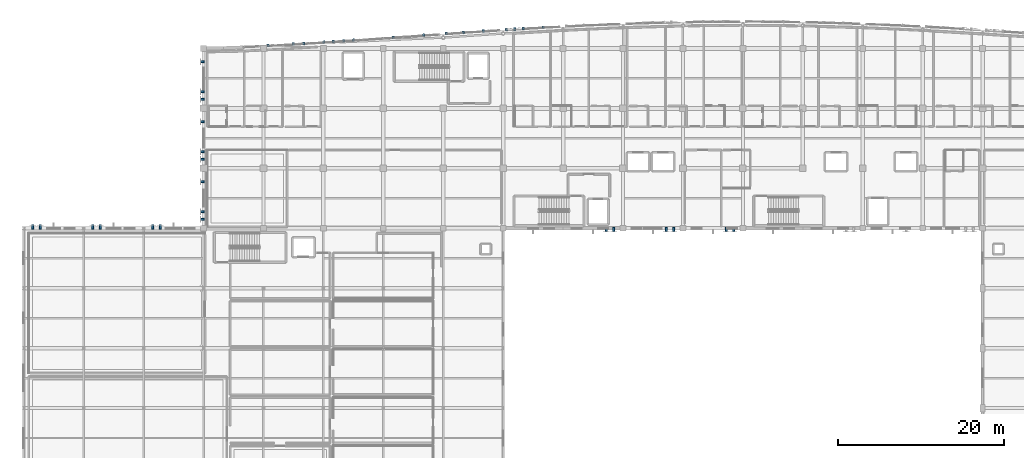
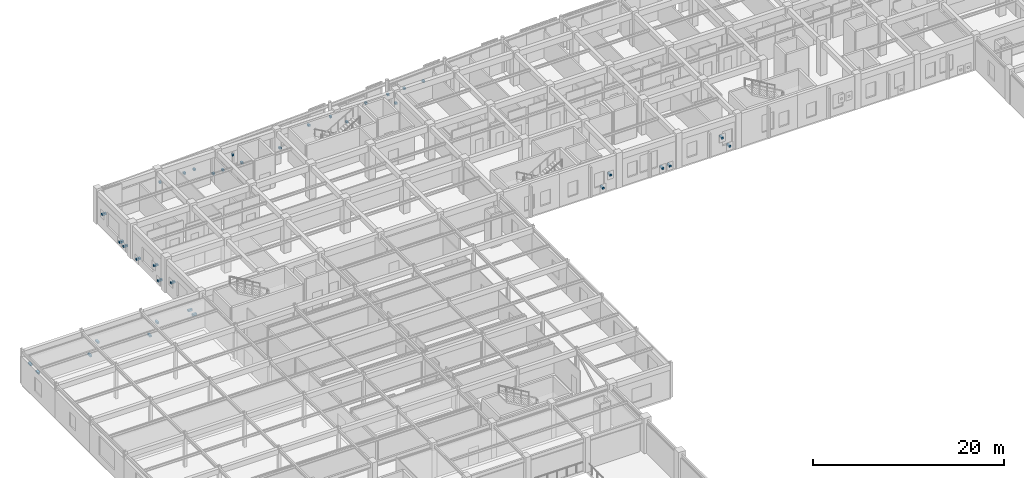
# One storey, part 92 of 106: 37 discrete accessories.
"""IFC4 building model written with IfcOpenShell, lengths in metres."""

from ifc_helpers import new_model, si_unit, direction, frame, origin, origin_2d, place, context, subcontext, project, spatial, rectangle, extrude, material, type_object, element, save


model = new_model("IFC4")

# Units and contexts
model_context = context("Model", 3, precision=1e-05, world=origin(), true_north=direction((0.0, 1.0)))
body_context = subcontext(model_context, "Body", "Model", "MODEL_VIEW")
ifc_project = project(units=[si_unit("LENGTHUNIT", "METRE"), si_unit("AREAUNIT", "SQUARE_METRE"), si_unit("VOLUMEUNIT", "CUBIC_METRE"), si_unit("PLANEANGLEUNIT", "RADIAN"), si_unit("MASSUNIT", "GRAM", prefix="KILO")], contexts=[model_context])

# Site, building, storey
site_placement = place(None, origin())
site = spatial("IfcSite", under=ifc_project, at=site_placement, CompositionType="ELEMENT")
building_placement = place(site_placement, origin())
building = spatial("IfcBuilding", under=site, at=building_placement, Name="Carrowvane Square Congress Hotel", CompositionType="ELEMENT")
storey_placement = place(building_placement, frame((0.0, 0.0, 10.5)))
storey = spatial("IfcBuildingStorey", under=building, at=storey_placement, Name="L02", CompositionType="ELEMENT", Elevation=10.5)

# Discrete accessories
ifc_material = material(Name="Stainless steel 316", Category="steel")
discrete_accessory_type = type_object("IfcDiscreteAccessoryType", Name="ACC-BRK-SS", PredefinedType="BRACKET", material=ifc_material)
for number, where, z_axis, x_axis, name in (
    (1, (12.699951171875, 91.9599609375, 1.93017578125), (0.0, 0.0, 1.0), (1.0, 0.0, 0.0), "V5 pixel screen bracket 79"),
    (2, (13.60009765625, 91.9599609375, 0.56005859375), (0.0, 0.0, 1.0), (1.0, 0.0, 0.0), "V5 pixel screen bracket 80"),
    (3, (19.89990234375, 91.9599609375, 0.56005859375), (0.0, 0.0, 1.0), (1.0, 0.0, 0.0), "V5 pixel screen bracket 81"),
    (4, (20.800048828125, 91.9599609375, 1.93017578125), (0.0, 0.0, 1.0), (1.0, 0.0, 0.0), "V5 pixel screen bracket 82"),
    (5, (27.10009765625, 91.9599609375, 0.56005859375), (0.0, 0.0, 1.0), (1.0, 0.0, 0.0), "V5 pixel screen bracket 83"),
    (6, (28.0, 91.9599609375, 1.93017578125), (0.0, 0.0, 1.0), (1.0, 0.0, 0.0), "V5 pixel screen bracket 84"),
    (7, (33.0400390625, 92.89990234375, 0.56005859375), (0.0, 0.0, 1.0), (0.0, 1.0, 0.0), "V5 pixel screen bracket 85"),
    (8, (33.0400390625, 93.800048828125, 0.56005859375), (0.0, 0.0, 1.0), (0.0, 1.0, 0.0), "V5 pixel screen bracket 86"),
    (9, (33.0400390625, 97.39990234375, 1.93017578125), (0.0, 0.0, 1.0), (0.0, 1.0, 0.0), "V5 pixel screen bracket 87"),
    (10, (33.0400390625, 100.10009765625, 0.56005859375), (0.0, 0.0, 1.0), (0.0, 1.0, 0.0), "V5 pixel screen bracket 88"),
    (11, (33.0400390625, 101.0, 1.93017578125), (0.0, 0.0, 1.0), (0.0, 1.0, 0.0), "V5 pixel screen bracket 89"),
    (12, (33.0400390625, 104.60009765625, 0.56005859375), (0.0, 0.0, 1.0), (0.0, 1.0, 0.0), "V5 pixel screen bracket 90"),
    (13, (33.0400390625, 107.300048828125, 0.56005859375), (0.0, 0.0, 1.0), (0.0, 1.0, 0.0), "V5 pixel screen bracket 91"),
    (14, (33.0400390625, 108.199951171875, 0.56005859375), (0.0, 0.0, 1.0), (0.0, 1.0, 0.0), "V5 pixel screen bracket 92"),
    (15, (33.0400390625, 111.800048828125, 1.93017578125), (0.0, 0.0, 1.0), (0.0, 1.0, 0.0), "V5 pixel screen bracket 93"),
):
    element("IfcDiscreteAccessory", number, at=place(storey_placement, frame(where, z_axis=z_axis, x_axis=x_axis)), inside=storey, type_object=discrete_accessory_type, Name=name, PredefinedType="BRACKET", context=body_context, shape_type="SweptSolid", body=[
        extrude(rectangle(XDim=0.239990234375, YDim=0.52001953125, at=origin_2d()), origin(), (0.0, 0.0, 1.0), 0.239990234375),
    ])
for number, where, z_axis, x_axis, name in (
    (16, (40.94970703125, 113.76220703125, 2.02978515625), (0.0, 0.0, 1.0), (0.998566941363, 0.053516947007, 0.0), "Pixel screen mullion bracket 94"),
    (17, (43.995361328125, 113.93212890625, 2.02978515625), (0.0, 0.0, 1.0), (0.998258866948, 0.05898503675, 0.0), "Pixel screen mullion bracket 95"),
    (18, (45.22998046875, 114.005126953125, 2.02978515625), (0.0, 0.0, 1.0), (0.997996022269, 0.063276690295, 0.0), "Pixel screen mullion bracket 96"),
    (19, (47.62451171875, 114.1572265625, 0.56005859375), (0.0, 0.0, 1.0), (0.997781458784, 0.066574473385, 0.0), "Pixel screen mullion bracket 97"),
    (20, (48.794677734375, 114.2353515625, 0.56005859375), (0.0, 0.0, 1.0), (0.997781458784, 0.066574473385, 0.0), "Pixel screen mullion bracket 98"),
    (21, (50.029296875, 114.317626953125, 2.02978515625), (0.0, 0.0, 1.0), (0.99761759323, 0.068986503591, 0.0), "Pixel screen mullion bracket 99"),
    (22, (51.194580078125, 114.398193359375, 0.56005859375), (0.0, 0.0, 1.0), (0.99761759323, 0.068986503591, 0.0), "Pixel screen mullion bracket 100"),
    (23, (55.994384765625, 114.737060546875, 0.56005859375), (0.0, 0.0, 1.0), (0.997446326449, 0.071420066188, 0.0), "Pixel screen mullion bracket 101"),
    (24, (59.629150390625, 114.99755859375, 2.02978515625), (0.0, 0.0, 1.0), (0.997479379392, 0.070956942496, 0.0), "Pixel screen mullion bracket 102"),
    (25, (62.381591796875, 115.19287109375, 2.02978515625), (0.0, 0.0, 1.0), (0.997566258056, 0.069724893606, 0.0), "Pixel screen mullion bracket 103"),
    (26, (64.429443359375, 115.3359375, 0.56005859375), (0.0, 0.0, 1.0), (0.9976944394, 0.067866085713, 0.0), "Pixel screen mullion bracket 104"),
    (27, (66.82470703125, 115.498779296875, 2.02978515625), (0.0, 0.0, 1.0), (0.99785825325, 0.065413350476, 0.0), "Pixel screen mullion bracket 105"),
    (28, (69.58984375, 115.6787109375, 2.02978515625), (0.0, 0.0, 1.0), (0.998051413269, 0.062396926785, 0.0), "Pixel screen mullion bracket 106"),
    (29, (70.574951171875, 115.740478515625, 0.56005859375), (0.0, 0.0, 1.0), (0.998051413269, 0.062396926785, 0.0), "Pixel screen mullion bracket 107"),
    (30, (71.625244140625, 115.805908203125, 2.02978515625), (0.0, 0.0, 1.0), (0.998266695506, 0.05885239709, 0.0), "Pixel screen mullion bracket 108"),
    (31, (74.030517578125, 115.947509765625, 2.02978515625), (0.0, 0.0, 1.0), (0.998496552462, 0.054814548441, 0.0), "Pixel screen mullion bracket 109"),
):
    element("IfcDiscreteAccessory", number, at=place(storey_placement, frame(where, z_axis=z_axis, x_axis=x_axis)), inside=storey, type_object=discrete_accessory_type, Name=name, PredefinedType="BRACKET", context=body_context, shape_type="SweptSolid", body=[
        extrude(rectangle(XDim=0.239990234375, YDim=0.280029296875, at=origin_2d()), origin(), (0.0, 0.0, 1.0), 0.239990234375),
    ])
for number, where, z_axis, x_axis, name in (
    (32, (96.89990234375, 91.639892578125, 0.56005859375), (0.0, 0.0, 1.0), (-1.0, 0.0, 0.0), "V5 pixel screen bracket 160"),
    (33, (96.0, 91.639892578125, 1.93017578125), (0.0, 0.0, 1.0), (-1.0, 0.0, 0.0), "V5 pixel screen bracket 161"),
    (34, (89.699951171875, 91.639892578125, 0.56005859375), (0.0, 0.0, 1.0), (-1.0, 0.0, 0.0), "V5 pixel screen bracket 162"),
    (35, (88.800048828125, 91.639892578125, 0.56005859375), (0.0, 0.0, 1.0), (-1.0, 0.0, 0.0), "V5 pixel screen bracket 163"),
    (36, (82.5, 91.639892578125, 1.93017578125), (0.0, 0.0, 1.0), (-1.0, 0.0, 0.0), "V5 pixel screen bracket 164"),
    (37, (81.60009765625, 91.639892578125, 0.56005859375), (0.0, 0.0, 1.0), (-1.0, 0.0, 0.0), "V5 pixel screen bracket 165"),
):
    element("IfcDiscreteAccessory", number, at=place(storey_placement, frame(where, z_axis=z_axis, x_axis=x_axis)), inside=storey, type_object=discrete_accessory_type, Name=name, PredefinedType="BRACKET", context=body_context, shape_type="SweptSolid", body=[
        extrude(rectangle(XDim=0.239990234375, YDim=0.52001953125, at=origin_2d()), origin(), (0.0, 0.0, 1.0), 0.239990234375),
    ])

save(model, "model.ifc")
